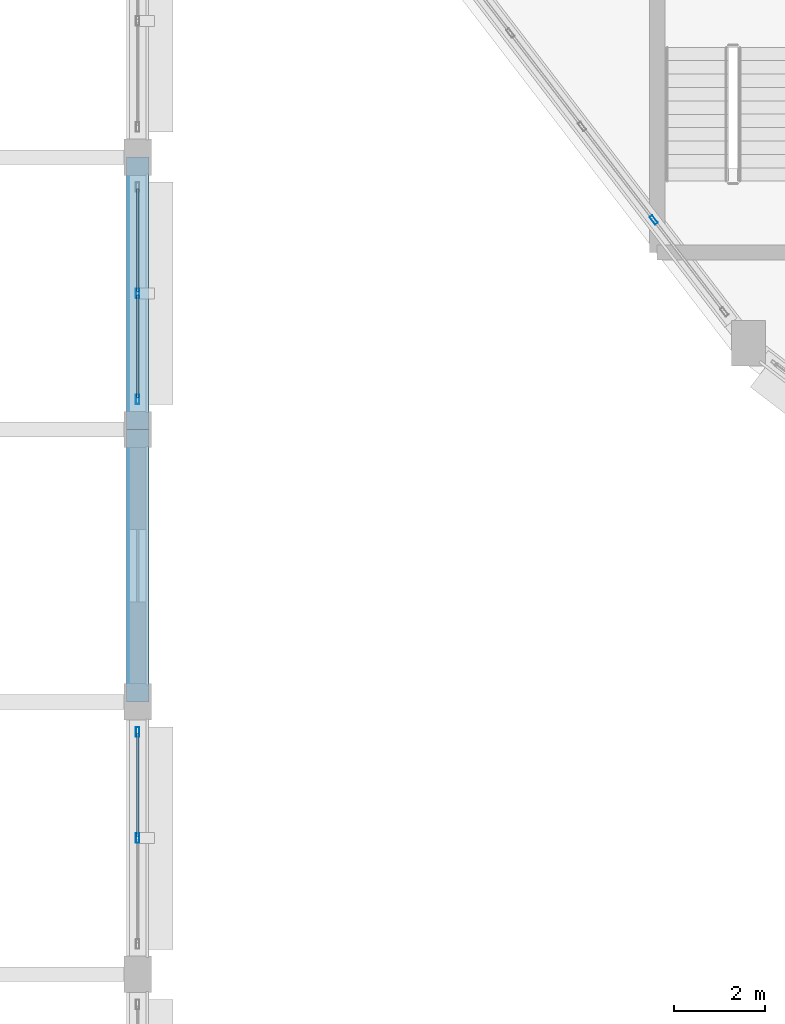
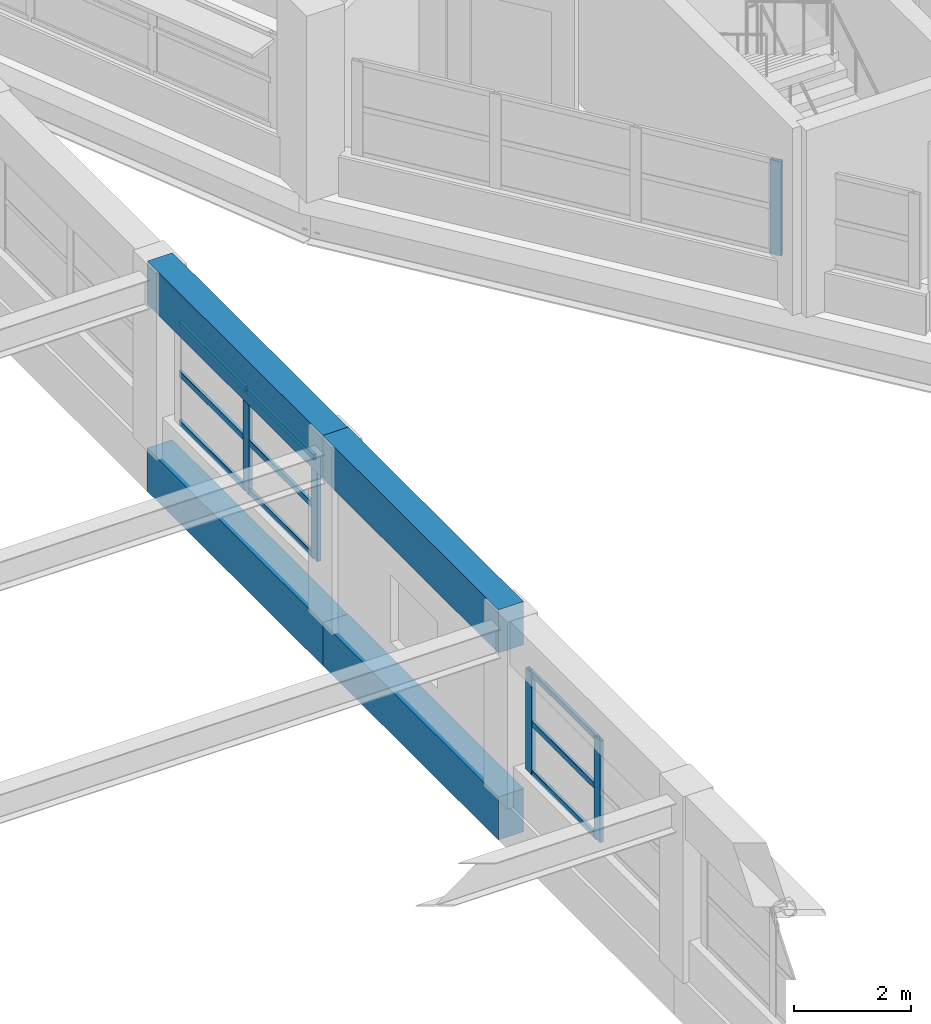
# One storey, part 14 of 108: 14 members, 4 beams, 3 elements without a shape of their own.
"""IFC4 building model written with IfcOpenShell, lengths in metres."""

from ifc_helpers import new_model, si_unit, direction, frame, origin, origin_2d, place, context, subcontext, project, spatial, rectangle, hollow_rectangle, extrude, material, layer, layer_set, material_profile, profile_set, type_object, element, aggregate, save


model = new_model("IFC4")

# Units and contexts
model_context = context("Model", 3, precision=1e-05, world=origin(), true_north=direction((0.0, 1.0)))
body_context = subcontext(model_context, "Body", "Model", "MODEL_VIEW")
ifc_project = project(units=[si_unit("LENGTHUNIT", "METRE"), si_unit("AREAUNIT", "SQUARE_METRE"), si_unit("VOLUMEUNIT", "CUBIC_METRE"), si_unit("PLANEANGLEUNIT", "RADIAN"), si_unit("MASSUNIT", "GRAM", prefix="KILO")], contexts=[model_context])

# Site, building, storey
site_placement = place(None, origin())
site = spatial("IfcSite", under=ifc_project, at=site_placement, CompositionType="ELEMENT")
building_placement = place(site_placement, origin())
building = spatial("IfcBuilding", under=site, at=building_placement, Name="Vespera Passage Community Centre", CompositionType="ELEMENT")
storey_placement = place(building_placement, frame((0.0, 0.0, 12.60009765625)))
storey = spatial("IfcBuildingStorey", under=building, at=storey_placement, Name="L03", CompositionType="ELEMENT", Elevation=12.60009765625)

# Beams
ifc_material_1 = material(Name="Concrete f'c 45 MPa", Category="concrete")
ifc_material_profile_1 = material_profile(ifc_material_1, rectangle(XDim=0.5, YDim=0.89990234375, at=origin_2d()), Name="RC500X900")
ifc_profile_set_1 = profile_set([ifc_material_profile_1], Name="Concrete f'c 45 MPa")
beam_type = type_object("IfcBeamType", Name="BM-SP-500X900E", PredefinedType="SPANDREL", material=ifc_profile_set_1)
for number, where, z_axis, x_axis, name in (
    (1, (31.949951171875, 25.0, 3.449951171875), (0.0, 1.0, 0.0), (-1.0, 0.0, 0.0), "Main Hall Eave Ring Girder E4"),
    (2, (31.949951171875, 31.0, 3.449951171875), (0.0, 1.0, 0.0), (-1.0, 0.0, 0.0), "Main Hall Eave Ring Girder E5"),
    (3, (31.949951171875, 25.0, -0.4501953125), (0.0, 1.0, 0.0), (-1.0, 0.0, 0.0), "V1 L03 Spandrel E4"),
    (4, (31.949951171875, 31.0, -0.4501953125), (0.0, 1.0, 0.0), (-1.0, 0.0, 0.0), "V1 L03 Spandrel E5"),
):
    element("IfcBeam", number, at=place(storey_placement, frame(where, z_axis=z_axis, x_axis=x_axis)), inside=storey, type_object=beam_type, Name=name, PredefinedType="SPANDREL", context=body_context, shape_type="SweptSolid", body=[
        extrude(rectangle(XDim=0.5, YDim=0.89990234375, at=origin_2d()), origin(), (0.0, 0.0, 1.0), 6.0),
    ])

# Curtain wall, member
ifc_material_2 = material(Name="Anodized aluminium 6063-T6", Category="aluminium")
ifc_layer_1 = layer(ifc_material_2, 0.159912109375)
ifc_layer_set_1 = layer_set([ifc_layer_1], Name="Anodized aluminium 6063-T6")
curtain_wall_type_1 = type_object("IfcCurtainWallType", Name="CW-50E", PredefinedType="NOTDEFINED", material=ifc_layer_set_1)
curtain_wall_1_placement = place(storey_placement, origin())
curtain_wall_1 = element("IfcCurtainWall", 5, at=curtain_wall_1_placement, inside=storey, type_object=curtain_wall_type_1, Name="V4 L03 Outer Ribbon Curtain Wall 14", PredefinedType="NOTDEFINED")
ifc_material_3 = material(Name="Anodized aluminium 6063-T6", Category="aluminium")
ifc_material_profile_2 = material_profile(ifc_material_3, hollow_rectangle(XDim=0.074951171875, YDim=0.2099609375, WallThickness=0.0048828125, InnerFilletRadius=0.00244140625, OuterFilletRadius=0.0048828125, at=origin_2d()), Name="ALU210X75X5")
ifc_profile_set_2 = profile_set([ifc_material_profile_2], Name="Anodized aluminium 6063-T6")
member_type_1 = type_object("IfcMemberType", Name="MB-CWM-210E", PredefinedType="MULLION", material=ifc_profile_set_2)
member_1_placement = place(storey_placement, frame((43.31787109375, 35.618896484375, 0.81982421875), z_axis=(0.0, 0.0, 1.0), x_axis=(-0.793350257139, -0.608765447029, 0.0)))
member_1 = element("IfcMember", 6, at=member_1_placement, type_object=member_type_1, Name="CW-50E mullion 2", PredefinedType="MULLION", context=body_context, shape_type="SweptSolid", body=[
    extrude(hollow_rectangle(XDim=0.074951171875, YDim=0.2099609375, WallThickness=0.0048828125, InnerFilletRadius=0.00244140625, OuterFilletRadius=0.0048828125, at=origin_2d()), origin(), (0.0, 0.0, 1.0), 1.965576171875),
])
aggregate(curtain_wall_1, [member_1])

# Curtain wall, members
ifc_material_4 = material(Name="Anodized aluminium 6063-T6", Category="aluminium")
ifc_layer_2 = layer(ifc_material_4, 0.159912109375)
ifc_layer_set_2 = layer_set([ifc_layer_2], Name="Anodized aluminium 6063-T6")
curtain_wall_type_2 = type_object("IfcCurtainWallType", Name="CW-86E", PredefinedType="NOTDEFINED", material=ifc_layer_set_2)
curtain_wall_2_placement = place(storey_placement, origin())
curtain_wall_2 = element("IfcCurtainWall", 7, at=curtain_wall_2_placement, inside=storey, type_object=curtain_wall_type_2, Name="Main Hall Acoustic Curtain Wall L03 E3", PredefinedType="NOTDEFINED")
member_2_placement = place(storey_placement, frame((31.949951171875, 24.33740234375, 0.849853515625), z_axis=(0.0, 0.0, 1.0), x_axis=(1.0, 0.0, 0.0)))
member_2 = element("IfcMember", 8, at=member_2_placement, type_object=member_type_1, Name="CW-86E mullion 1", PredefinedType="MULLION", context=body_context, shape_type="SweptSolid", body=[
    extrude(hollow_rectangle(XDim=0.074951171875, YDim=0.2099609375, WallThickness=0.0048828125, InnerFilletRadius=0.00244140625, OuterFilletRadius=0.0048828125, at=origin_2d()), origin(), (0.0, 0.0, 1.0), 2.114990234375),
])
member_3_placement = place(storey_placement, frame((31.949951171875, 22.0, 0.849853515625), z_axis=(0.0, 0.0, 1.0), x_axis=(1.0, 0.0, 0.0)))
member_3 = element("IfcMember", 9, at=member_3_placement, type_object=member_type_1, Name="CW-86E mullion 2", PredefinedType="MULLION", context=body_context, shape_type="SweptSolid", body=[
    extrude(hollow_rectangle(XDim=0.074951171875, YDim=0.2099609375, WallThickness=0.0048828125, InnerFilletRadius=0.00244140625, OuterFilletRadius=0.0048828125, at=origin_2d()), origin(), (0.0, 0.0, 1.0), 2.114990234375),
])

curtain_wall_3_placement = place(storey_placement, origin())
curtain_wall_3 = element("IfcCurtainWall", 10, at=curtain_wall_3_placement, inside=storey, type_object=curtain_wall_type_2, Name="Main Hall Acoustic Curtain Wall L03 E5", PredefinedType="NOTDEFINED")
member_4_placement = place(storey_placement, frame((31.949951171875, 34.0, 0.849853515625), z_axis=(0.0, 0.0, 1.0), x_axis=(1.0, 0.0, 0.0)))
member_4 = element("IfcMember", 11, at=member_4_placement, type_object=member_type_1, Name="CW-86E mullion 2", PredefinedType="MULLION", context=body_context, shape_type="SweptSolid", body=[
    extrude(hollow_rectangle(XDim=0.074951171875, YDim=0.2099609375, WallThickness=0.0048828125, InnerFilletRadius=0.00244140625, OuterFilletRadius=0.0048828125, at=origin_2d()), origin(), (0.0, 0.0, 1.0), 2.114990234375),
])
member_5_placement = place(storey_placement, frame((31.949951171875, 31.66259765625, 0.849853515625), z_axis=(0.0, 0.0, 1.0), x_axis=(1.0, 0.0, 0.0)))
member_5 = element("IfcMember", 12, at=member_5_placement, type_object=member_type_1, Name="CW-86E mullion 3", PredefinedType="MULLION", context=body_context, shape_type="SweptSolid", body=[
    extrude(hollow_rectangle(XDim=0.074951171875, YDim=0.2099609375, WallThickness=0.0048828125, InnerFilletRadius=0.00244140625, OuterFilletRadius=0.0048828125, at=origin_2d()), origin(), (0.0, 0.0, 1.0), 2.114990234375),
])

# Member
ifc_material_5 = material(Name="Anodized aluminium 6063-T6", Category="aluminium")
ifc_material_profile_3 = material_profile(ifc_material_5, hollow_rectangle(XDim=0.06005859375, YDim=0.1201171875, WallThickness=0.00390625, InnerFilletRadius=0.001953125, OuterFilletRadius=0.00390625, at=origin_2d()), Name="ALU120X60X4")
ifc_profile_set_3 = profile_set([ifc_material_profile_3], Name="Anodized aluminium 6063-T6")
member_type_2 = type_object("IfcMemberType", Name="MB-CWT-120E", PredefinedType="USERDEFINED", material=ifc_profile_set_3)
member_6_placement = place(storey_placement, frame((31.949951171875, 24.300048828125, 0.8798828125), z_axis=(0.0, -1.0, 0.0), x_axis=(1.0, 0.0, 0.0)))
member_6 = element("IfcMember", 13, at=member_6_placement, type_object=member_type_2, Name="CW-86E transom 1.1", ObjectType="TRANSOM", PredefinedType="USERDEFINED", context=body_context, shape_type="SweptSolid", body=[
    extrude(hollow_rectangle(XDim=0.06005859375, YDim=0.1201171875, WallThickness=0.00390625, InnerFilletRadius=0.001953125, OuterFilletRadius=0.00390625, at=origin_2d()), origin(), (0.0, 0.0, 1.0), 2.262451171875),
])

member_7_placement = place(storey_placement, frame((31.949951171875, 24.300048828125, 1.907470703125), z_axis=(0.0, -1.0, 0.0), x_axis=(1.0, 0.0, 0.0)))
member_7 = element("IfcMember", 14, at=member_7_placement, type_object=member_type_2, Name="CW-86E transom 1.2", ObjectType="TRANSOM", PredefinedType="USERDEFINED", context=body_context, shape_type="SweptSolid", body=[
    extrude(hollow_rectangle(XDim=0.06005859375, YDim=0.1201171875, WallThickness=0.00390625, InnerFilletRadius=0.001953125, OuterFilletRadius=0.00390625, at=origin_2d()), origin(), (0.0, 0.0, 1.0), 2.262451171875),
])

member_8_placement = place(storey_placement, frame((31.949951171875, 24.300048828125, 2.934814453125), z_axis=(0.0, -1.0, 0.0), x_axis=(1.0, 0.0, 0.0)))
member_8 = element("IfcMember", 15, at=member_8_placement, type_object=member_type_2, Name="CW-86E transom 1.3", ObjectType="TRANSOM", PredefinedType="USERDEFINED", context=body_context, shape_type="SweptSolid", body=[
    extrude(hollow_rectangle(XDim=0.06005859375, YDim=0.1201171875, WallThickness=0.00390625, InnerFilletRadius=0.001953125, OuterFilletRadius=0.00390625, at=origin_2d()), origin(), (0.0, 0.0, 1.0), 2.262451171875),
])

aggregate(curtain_wall_2, [member_2, member_3, member_6, member_7, member_8])

member_9_placement = place(storey_placement, frame((31.949951171875, 36.300048828125, 0.8798828125), z_axis=(0.0, -1.0, 0.0), x_axis=(1.0, 0.0, 0.0)))
member_9 = element("IfcMember", 16, at=member_9_placement, type_object=member_type_2, Name="CW-86E transom 1.1", ObjectType="TRANSOM", PredefinedType="USERDEFINED", context=body_context, shape_type="SweptSolid", body=[
    extrude(hollow_rectangle(XDim=0.06005859375, YDim=0.1201171875, WallThickness=0.00390625, InnerFilletRadius=0.001953125, OuterFilletRadius=0.00390625, at=origin_2d()), origin(), (0.0, 0.0, 1.0), 2.262451171875),
])

member_10_placement = place(storey_placement, frame((31.949951171875, 36.300048828125, 1.907470703125), z_axis=(0.0, -1.0, 0.0), x_axis=(1.0, 0.0, 0.0)))
member_10 = element("IfcMember", 17, at=member_10_placement, type_object=member_type_2, Name="CW-86E transom 1.2", ObjectType="TRANSOM", PredefinedType="USERDEFINED", context=body_context, shape_type="SweptSolid", body=[
    extrude(hollow_rectangle(XDim=0.06005859375, YDim=0.1201171875, WallThickness=0.00390625, InnerFilletRadius=0.001953125, OuterFilletRadius=0.00390625, at=origin_2d()), origin(), (0.0, 0.0, 1.0), 2.262451171875),
])

member_11_placement = place(storey_placement, frame((31.949951171875, 36.300048828125, 2.934814453125), z_axis=(0.0, -1.0, 0.0), x_axis=(1.0, 0.0, 0.0)))
member_11 = element("IfcMember", 18, at=member_11_placement, type_object=member_type_2, Name="CW-86E transom 1.3", ObjectType="TRANSOM", PredefinedType="USERDEFINED", context=body_context, shape_type="SweptSolid", body=[
    extrude(hollow_rectangle(XDim=0.06005859375, YDim=0.1201171875, WallThickness=0.00390625, InnerFilletRadius=0.001953125, OuterFilletRadius=0.00390625, at=origin_2d()), origin(), (0.0, 0.0, 1.0), 2.262451171875),
])

member_12_placement = place(storey_placement, frame((31.949951171875, 33.96240234375, 0.8798828125), z_axis=(0.0, -1.0, 0.0), x_axis=(1.0, 0.0, 0.0)))
member_12 = element("IfcMember", 19, at=member_12_placement, type_object=member_type_2, Name="CW-86E transom 2.1", ObjectType="TRANSOM", PredefinedType="USERDEFINED", context=body_context, shape_type="SweptSolid", body=[
    extrude(hollow_rectangle(XDim=0.06005859375, YDim=0.1201171875, WallThickness=0.00390625, InnerFilletRadius=0.001953125, OuterFilletRadius=0.00390625, at=origin_2d()), origin(), (0.0, 0.0, 1.0), 2.262451171875),
])

member_13_placement = place(storey_placement, frame((31.949951171875, 33.96240234375, 1.907470703125), z_axis=(0.0, -1.0, 0.0), x_axis=(1.0, 0.0, 0.0)))
member_13 = element("IfcMember", 20, at=member_13_placement, type_object=member_type_2, Name="CW-86E transom 2.2", ObjectType="TRANSOM", PredefinedType="USERDEFINED", context=body_context, shape_type="SweptSolid", body=[
    extrude(hollow_rectangle(XDim=0.06005859375, YDim=0.1201171875, WallThickness=0.00390625, InnerFilletRadius=0.001953125, OuterFilletRadius=0.00390625, at=origin_2d()), origin(), (0.0, 0.0, 1.0), 2.262451171875),
])

member_14_placement = place(storey_placement, frame((31.949951171875, 33.96240234375, 2.934814453125), z_axis=(0.0, -1.0, 0.0), x_axis=(1.0, 0.0, 0.0)))
member_14 = element("IfcMember", 21, at=member_14_placement, type_object=member_type_2, Name="CW-86E transom 2.3", ObjectType="TRANSOM", PredefinedType="USERDEFINED", context=body_context, shape_type="SweptSolid", body=[
    extrude(hollow_rectangle(XDim=0.06005859375, YDim=0.1201171875, WallThickness=0.00390625, InnerFilletRadius=0.001953125, OuterFilletRadius=0.00390625, at=origin_2d()), origin(), (0.0, 0.0, 1.0), 2.262451171875),
])

aggregate(curtain_wall_3, [member_4, member_5, member_9, member_10, member_11, member_12, member_13, member_14])

save(model, "model.ifc")
